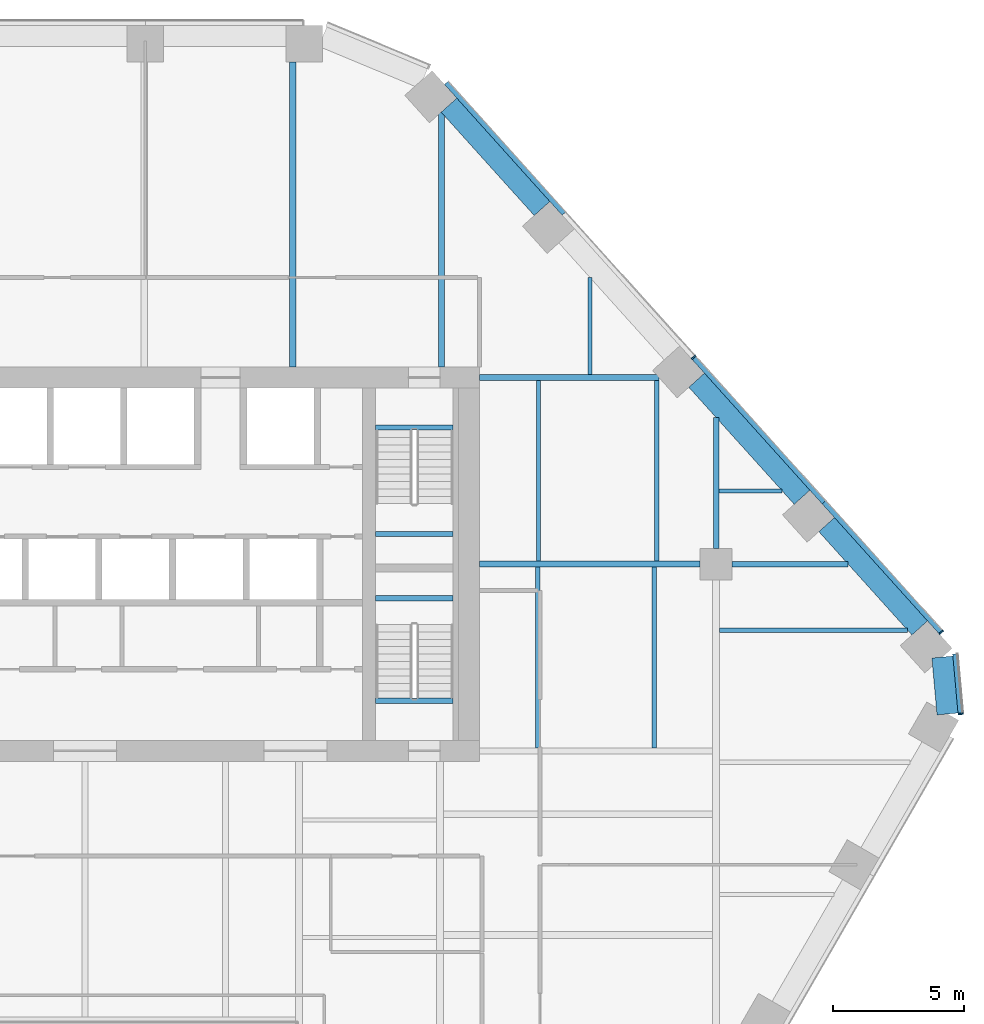
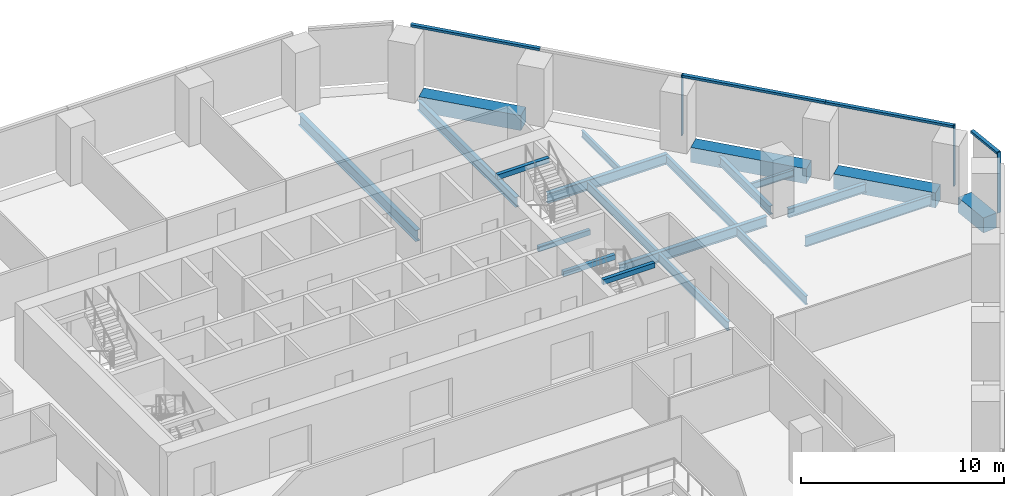
# One storey, part 8 of 16: 21 beams, 7 members, 2 elements without a shape of their own.
"""IFC4 building model written with IfcOpenShell, lengths in metres."""

from ifc_helpers import new_model, si_unit, direction, frame, origin, origin_2d, place, context, subcontext, project, spatial, rectangle, i_section, extrude, material, layer, layer_set, material_profile, profile_set, type_object, element, aggregate, save


model = new_model("IFC4")

# Units and contexts
model_context = context("Model", 3, precision=1e-05, world=origin(), true_north=direction((0.0, 1.0)))
body_context = subcontext(model_context, "Body", "Model", "MODEL_VIEW")
ifc_project = project(units=[si_unit("LENGTHUNIT", "METRE"), si_unit("AREAUNIT", "SQUARE_METRE"), si_unit("VOLUMEUNIT", "CUBIC_METRE"), si_unit("PLANEANGLEUNIT", "RADIAN"), si_unit("MASSUNIT", "GRAM", prefix="KILO")], contexts=[model_context])

# Site, building, storey
site_placement = place(None, origin())
site = spatial("IfcSite", under=ifc_project, at=site_placement, CompositionType="ELEMENT")
building_placement = place(site_placement, origin())
building = spatial("IfcBuilding", under=site, at=building_placement, Name="Isthmus Gate Tower", CompositionType="ELEMENT")
storey_placement = place(building_placement, frame((0.0, 0.0, 148.050048828125)))
storey = spatial("IfcBuildingStorey", under=building, at=storey_placement, Name="L36", CompositionType="ELEMENT", Elevation=148.050048828125)

# Curtain wall, member
ifc_material_1 = material(Name="Aluminium, pale champagne anodised", Category="aluminium")
ifc_layer = layer(ifc_material_1, 0.199951171875)
ifc_layer_set = layer_set([ifc_layer], Name="CW-1 UNITISED CURTAIN WALL 200 DEEP")
curtain_wall_type = type_object("IfcCurtainWallType", Name="CW-1 UNITISED CURTAIN WALL 200 DEEP", PredefinedType="NOTDEFINED", material=ifc_layer_set)
curtain_wall_1_placement = place(storey_placement, origin())
curtain_wall_1 = element("IfcCurtainWall", 1, at=curtain_wall_1_placement, inside=storey, type_object=curtain_wall_type, Name="CW-1 SE-NE L36", PredefinedType="NOTDEFINED")
ifc_material_2 = material(Name="Aluminium, pale champagne anodised", Category="aluminium")
ifc_material_profile_1 = material_profile(ifc_material_2, rectangle(XDim=0.06005859375, YDim=0.199951171875, at=origin_2d()), Name="60x200")
ifc_profile_set_1 = profile_set([ifc_material_profile_1], Name="Aluminium, pale champagne anodised")
member_type_1 = type_object("IfcMemberType", Name="CW-1 MULLION 60 X 200", PredefinedType="MULLION", material=ifc_profile_set_1)
member_1_placement = place(storey_placement, frame((33.307861328125, 1.804443359375, 0.0), z_axis=(0.0, 0.0, 1.0), x_axis=(-0.089396669717, 0.995996102123, 0.0)))
member_1 = element("IfcMember", 2, at=member_1_placement, type_object=member_type_1, Name="CW-1 mullion", PredefinedType="MULLION", context=body_context, shape_type="SweptSolid", body=[
    extrude(rectangle(XDim=0.06005859375, YDim=0.199951171875, at=origin_2d()), origin(), (0.0, 0.0, 1.0), 3.64990234375),
])

# Curtain wall, members
curtain_wall_2_placement = place(storey_placement, origin())
curtain_wall_2 = element("IfcCurtainWall", 3, at=curtain_wall_2_placement, inside=storey, type_object=curtain_wall_type, Name="CW-1 NE L36", PredefinedType="NOTDEFINED")
member_2_placement = place(storey_placement, frame((32.5693359375, 4.908447265625, 0.0), z_axis=(0.0, 0.0, 1.0), x_axis=(-0.669130606359, 0.743144825477, 0.0)))
member_2 = element("IfcMember", 4, at=member_2_placement, type_object=member_type_1, Name="CW-1 mullion", PredefinedType="MULLION", context=body_context, shape_type="SweptSolid", body=[
    extrude(rectangle(XDim=0.06005859375, YDim=0.199951171875, at=origin_2d()), origin(), (0.0, 0.0, 1.0), 3.64990234375),
])
member_3_placement = place(storey_placement, frame((23.14697265625, 15.373046875, 0.0), z_axis=(0.0, 0.0, 1.0), x_axis=(-0.669130606359, 0.743144825477, 0.0)))
member_3 = element("IfcMember", 5, at=member_3_placement, type_object=member_type_1, Name="CW-1 mullion", PredefinedType="MULLION", context=body_context, shape_type="SweptSolid", body=[
    extrude(rectangle(XDim=0.06005859375, YDim=0.199951171875, at=origin_2d()), origin(), (0.0, 0.0, 1.0), 3.64990234375),
])

# Member
ifc_material_3 = material(Name="Aluminium, pale champagne anodised", Category="aluminium")
ifc_material_profile_2 = material_profile(ifc_material_3, rectangle(XDim=0.199951171875, YDim=0.139892578125, at=origin_2d()), Name="200x140")
ifc_profile_set_2 = profile_set([ifc_material_profile_2], Name="Aluminium, pale champagne anodised")
member_type_2 = type_object("IfcMemberType", Name="CW-1 TRANSOM 200 X 140", PredefinedType="USERDEFINED", material=ifc_profile_set_2)
member_4_placement = place(storey_placement, frame((33.30517578125, 1.83447265625, 3.579833984375), z_axis=(-0.089395362867, 0.995996219419, 0.0), x_axis=(-0.995996219419, -0.089395362867, 0.0)))
member_4 = element("IfcMember", 6, at=member_4_placement, type_object=member_type_2, Name="CW-1 transom", ObjectType="TRANSOM", PredefinedType="USERDEFINED", context=body_context, shape_type="SweptSolid", body=[
    extrude(rectangle(XDim=0.199951171875, YDim=0.139892578125, at=origin_2d()), origin(), (0.0, 0.0, 1.0), 2.258544921875),
])

aggregate(curtain_wall_1, [member_1, member_4])

member_5_placement = place(storey_placement, frame((32.54931640625, 4.930908203125, 3.579833984375), z_axis=(-0.669153891975, 0.743123858354, 0.0), x_axis=(-0.743123858354, -0.669153891975, 0.0)))
member_5 = element("IfcMember", 7, at=member_5_placement, type_object=member_type_2, Name="CW-1 transom", ObjectType="TRANSOM", PredefinedType="USERDEFINED", context=body_context, shape_type="SweptSolid", body=[
    extrude(rectangle(XDim=0.199951171875, YDim=0.139892578125, at=origin_2d()), origin(), (0.0, 0.0, 1.0), 6.630859375),
])

member_6_placement = place(storey_placement, frame((28.1123046875, 9.8583984375, 3.579833984375), z_axis=(-0.669123495435, 0.74315122812, 0.0), x_axis=(-0.74315122812, -0.669123495435, 0.0)))
member_6 = element("IfcMember", 8, at=member_6_placement, type_object=member_type_2, Name="CW-1 transom", ObjectType="TRANSOM", PredefinedType="USERDEFINED", context=body_context, shape_type="SweptSolid", body=[
    extrude(rectangle(XDim=0.199951171875, YDim=0.139892578125, at=origin_2d()), origin(), (0.0, 0.0, 1.0), 7.390625),
])

member_7_placement = place(storey_placement, frame((18.221435546875, 20.84326171875, 3.579833984375), z_axis=(-0.669117935274, 0.743156234378, 0.0), x_axis=(-0.743156234378, -0.669117935274, 0.0)))
member_7 = element("IfcMember", 9, at=member_7_placement, type_object=member_type_2, Name="CW-1 transom", ObjectType="TRANSOM", PredefinedType="USERDEFINED", context=body_context, shape_type="SweptSolid", body=[
    extrude(rectangle(XDim=0.199951171875, YDim=0.139892578125, at=origin_2d()), origin(), (0.0, 0.0, 1.0), 6.690673828125),
])

aggregate(curtain_wall_2, [member_2, member_5, member_6, member_3, member_7])

# Beams
ifc_material_4 = material(Name="Concrete f'c 60 MPa", Category="concrete")
ifc_material_profile_3 = material_profile(ifc_material_4, rectangle(XDim=0.800048828125, YDim=0.89990234375, at=origin_2d()), Name="RC 800X900")
ifc_profile_set_3 = profile_set([ifc_material_profile_3], Name="Concrete f'c 60 MPa")
beam_type_1 = type_object("IfcBeamType", Name="RC SPANDREL 800 X 900", PredefinedType="SPANDREL", material=ifc_profile_set_3)
beam_1_placement = place(storey_placement, frame((13.84130859375, 24.960693359375, -0.449951171875), z_axis=(0.669153370522, -0.743124327901, 0.0), x_axis=(0.743124327901, 0.669153370522, 0.0)))
element("IfcBeam", 10, at=beam_1_placement, inside=storey, type_object=beam_type_1, Name="str-spandrel-L36-01", PredefinedType="SPANDREL", context=body_context, shape_type="SweptSolid", body=[
    extrude(rectangle(XDim=0.800048828125, YDim=0.89990234375, at=origin_2d()), origin(), (0.0, 0.0, 1.0), 5.290771484375),
])
beam_2_placement = place(storey_placement, frame((23.263671875, 14.49609375, -0.449951171875), z_axis=(0.669156088603, -0.74312188037, 0.0), x_axis=(0.74312188037, 0.669156088603, 0.0)))
element("IfcBeam", 11, at=beam_2_placement, inside=storey, type_object=beam_type_1, Name="str-spandrel-L36-03", PredefinedType="SPANDREL", context=body_context, shape_type="SweptSolid", body=[
    extrude(rectangle(XDim=0.800048828125, YDim=0.89990234375, at=origin_2d()), origin(), (0.0, 0.0, 1.0), 5.99072265625),
])
beam_3_placement = place(storey_placement, frame((28.209228515625, 9.003662109375, -0.449951171875), z_axis=(0.669130424574, -0.743144989157, 0.0), x_axis=(0.743144989157, 0.669130424574, 0.0)))
element("IfcBeam", 12, at=beam_3_placement, inside=storey, type_object=beam_type_1, Name="str-spandrel-L36-04", PredefinedType="SPANDREL", context=body_context, shape_type="SweptSolid", body=[
    extrude(rectangle(XDim=0.800048828125, YDim=0.89990234375, at=origin_2d()), origin(), (0.0, 0.0, 1.0), 5.290771484375),
])
beam_4_placement = place(storey_placement, frame((32.61181640625, 3.964599609375, -0.449951171875), z_axis=(0.089421511639, -0.995993872098, 0.0), x_axis=(0.995993872098, 0.089421511639, 0.0)))
element("IfcBeam", 13, at=beam_4_placement, inside=storey, type_object=beam_type_1, Name="str-spandrel-L36-05", PredefinedType="SPANDREL", context=body_context, shape_type="SweptSolid", body=[
    extrude(rectangle(XDim=0.800048828125, YDim=0.89990234375, at=origin_2d()), origin(), (0.0, 0.0, 1.0), 2.17333984375),
])
ifc_material_5 = material(Name="Concrete f'c 40 MPa", Category="concrete")
ifc_material_profile_4 = material_profile(ifc_material_5, rectangle(XDim=0.199951171875, YDim=0.300048828125, at=origin_2d()), Name="STAIR LANDING BEAM RC 200 X 300")
ifc_profile_set_4 = profile_set([ifc_material_profile_4], Name="Concrete f'c 40 MPa")
beam_type_2 = type_object("IfcBeamType", Name="STAIR LANDING BEAM RC 200 X 300", PredefinedType="BEAM", material=ifc_profile_set_4)
for number, where, z_axis, x_axis, name in (
    (14, (11.050048828125, 8.64990234375, 1.474853515625), (1.0, 0.0, 0.0), (0.0, 1.0, 0.0), "L36 ST2 landing beam 1"),
    (15, (11.050048828125, 12.7001953125, 3.349853515625), (1.0, 0.0, 0.0), (0.0, 1.0, 0.0), "L36 ST2 floor-edge seat beam"),
    (16, (11.050048828125, 6.199951171875, 1.474853515625), (1.0, 0.0, 0.0), (0.0, 1.0, 0.0), "L36 ST8 landing beam 1"),
    (17, (11.050048828125, 2.2998046875, 3.349853515625), (1.0, 0.0, 0.0), (0.0, 1.0, 0.0), "L36 ST8 floor-edge seat beam"),
):
    element("IfcBeam", number, at=place(storey_placement, frame(where, z_axis=z_axis, x_axis=x_axis)), inside=storey, type_object=beam_type_2, Name=name, PredefinedType="BEAM", context=body_context, shape_type="SweptSolid", body=[
        extrude(rectangle(XDim=0.199951171875, YDim=0.300048828125, at=origin_2d()), origin(), (0.0, 0.0, 1.0), 2.949951171875),
    ])
ifc_material_6 = material(Name="Structural steel ASTM A992 Gr 50", Category="steel")
ifc_material_profile_5 = material_profile(ifc_material_6, i_section(OverallWidth=0.1396484375, OverallDepth=0.4033203125, WebThickness=0.00634765625, FlangeThickness=0.010986328125, at=origin_2d()), Name="W16X31")
ifc_profile_set_5 = profile_set([ifc_material_profile_5], Name="Structural steel ASTM A992 Gr 50")
beam_type_3 = type_object("IfcBeamType", Name="STEEL FLOOR BEAM W16X31", PredefinedType="JOIST", material=ifc_profile_set_5)
beam_5_placement = place(storey_placement, frame((19.204345703125, 14.71435546875, -0.3515625), z_axis=(0.0, 1.0, 0.0), x_axis=(-1.0, 0.0, 0.0)))
element("IfcBeam", 18, at=beam_5_placement, inside=storey, type_object=beam_type_3, Name="str-beam-L36-05-07", PredefinedType="JOIST", context=body_context, shape_type="SweptSolid", body=[
    extrude(i_section(OverallWidth=0.1396484375, OverallDepth=0.4033203125, WebThickness=0.00634765625, FlangeThickness=0.010986328125, at=origin_2d()), origin(), (0.0, 0.0, 1.0), 3.6923828125),
])
beam_6_placement = place(storey_placement, frame((24.104736328125, 10.284423828125, -0.3515625), z_axis=(1.0, 0.0, 0.0), x_axis=(0.0, 1.0, 0.0)))
element("IfcBeam", 19, at=beam_6_placement, inside=storey, type_object=beam_type_3, Name="str-beam-L36-15-00", PredefinedType="JOIST", context=body_context, shape_type="SweptSolid", body=[
    extrude(i_section(OverallWidth=0.1396484375, OverallDepth=0.4033203125, WebThickness=0.00634765625, FlangeThickness=0.010986328125, at=origin_2d()), origin(), (0.0, 0.0, 1.0), 2.412841796875),
])
ifc_material_7 = material(Name="Structural steel ASTM A992 Gr 50", Category="steel")
ifc_material_profile_6 = material_profile(ifc_material_7, i_section(OverallWidth=0.1650390625, OverallDepth=0.52392578125, WebThickness=0.009521484375, FlangeThickness=0.010986328125, at=origin_2d()), Name="W21X44")
ifc_profile_set_6 = profile_set([ifc_material_profile_6], Name="Structural steel ASTM A992 Gr 50")
beam_type_4 = type_object("IfcBeamType", Name="STEEL FLOOR BEAM W21X44", PredefinedType="JOIST", material=ifc_profile_set_6)
for number, where, z_axis, x_axis, name in (
    (20, (17.25, 7.6142578125, -0.412109375), (0.0, 1.0, 0.0), (-1.0, 0.0, 0.0), "str-beam-L36-13-00"),
    (21, (21.75, 7.6142578125, -0.412109375), (0.0, 1.0, 0.0), (-1.0, 0.0, 0.0), "str-beam-L36-13-01"),
    (22, (17.216552734375, 0.514404296875, -0.412109375), (0.0, 1.0, 0.0), (-1.0, 0.0, 0.0), "str-beam-L36-14-00"),
    (23, (21.64990234375, 0.514404296875, -0.412109375), (0.0, 1.0, 0.0), (-1.0, 0.0, 0.0), "str-beam-L36-14-01"),
):
    element("IfcBeam", number, at=place(storey_placement, frame(where, z_axis=z_axis, x_axis=x_axis)), inside=storey, type_object=beam_type_4, Name=name, PredefinedType="JOIST", context=body_context, shape_type="SweptSolid", body=[
        extrude(i_section(OverallWidth=0.1650390625, OverallDepth=0.52392578125, WebThickness=0.009521484375, FlangeThickness=0.010986328125, at=origin_2d()), origin(), (0.0, 0.0, 1.0), 6.871337890625),
    ])
ifc_material_8 = material(Name="Structural steel ASTM A992 Gr 50", Category="steel")
ifc_material_profile_7 = material_profile(ifc_material_8, i_section(OverallWidth=0.177734375, OverallDepth=0.60009765625, WebThickness=0.009521484375, FlangeThickness=0.0126953125, at=origin_2d()), Name="W24X55")
ifc_profile_set_7 = profile_set([ifc_material_profile_7], Name="Structural steel ASTM A992 Gr 50")
beam_type_5 = type_object("IfcBeamType", Name="STEEL FLOOR BEAM W24X55", PredefinedType="JOIST", material=ifc_profile_set_7)
beam_7_placement = place(storey_placement, frame((24.13330078125, 4.987548828125, -0.4501953125), z_axis=(1.0, 0.0, 0.0), x_axis=(0.0, 1.0, 0.0)))
element("IfcBeam", 24, at=beam_7_placement, inside=storey, type_object=beam_type_5, Name="str-beam-L36-16-02", PredefinedType="JOIST", context=body_context, shape_type="SweptSolid", body=[
    extrude(i_section(OverallWidth=0.177734375, OverallDepth=0.60009765625, WebThickness=0.009521484375, FlangeThickness=0.0126953125, at=origin_2d()), origin(), (0.0, 0.0, 1.0), 7.15380859375),
])
ifc_material_9 = material(Name="Structural steel ASTM A992 Gr 50", Category="steel")
ifc_material_profile_8 = material_profile(ifc_material_9, i_section(OverallWidth=0.228515625, OverallDepth=0.603271484375, WebThickness=0.010986328125, FlangeThickness=0.014404296875, at=origin_2d()), Name="W24X68")
ifc_profile_set_8 = profile_set([ifc_material_profile_8], Name="Structural steel ASTM A992 Gr 50")
beam_type_6 = type_object("IfcBeamType", Name="STEEL FLOOR BEAM W24X68", PredefinedType="JOIST", material=ifc_profile_set_8)
beam_8_placement = place(storey_placement, frame((13.5537109375, 15.0, -0.45166015625), z_axis=(0.0, 1.0, 0.0), x_axis=(-1.0, 0.0, 0.0)))
element("IfcBeam", 25, at=beam_8_placement, inside=storey, type_object=beam_type_6, Name="str-beam-L36-05-06", PredefinedType="JOIST", context=body_context, shape_type="SweptSolid", body=[
    extrude(i_section(OverallWidth=0.228515625, OverallDepth=0.603271484375, WebThickness=0.010986328125, FlangeThickness=0.014404296875, at=origin_2d()), origin(), (0.0, 0.0, 1.0), 9.682373046875),
])
ifc_material_10 = material(Name="Structural steel ASTM A992 Gr 50", Category="steel")
ifc_material_profile_9 = material_profile(ifc_material_10, i_section(OverallWidth=0.25390625, OverallDepth=0.679443359375, WebThickness=0.010986328125, FlangeThickness=0.015869140625, at=origin_2d()), Name="W27X84")
ifc_profile_set_9 = profile_set([ifc_material_profile_9], Name="Structural steel ASTM A992 Gr 50")
beam_type_7 = type_object("IfcBeamType", Name="STEEL FLOOR BEAM W27X84", PredefinedType="JOIST", material=ifc_profile_set_9)
beam_9_placement = place(storey_placement, frame((7.903076171875, 15.0, -0.48974609375), z_axis=(0.0, 1.0, 0.0), x_axis=(-1.0, 0.0, 0.0)))
element("IfcBeam", 26, at=beam_9_placement, inside=storey, type_object=beam_type_7, Name="str-beam-L36-05-05", PredefinedType="JOIST", context=body_context, shape_type="SweptSolid", body=[
    extrude(i_section(OverallWidth=0.25390625, OverallDepth=0.679443359375, WebThickness=0.010986328125, FlangeThickness=0.015869140625, at=origin_2d()), origin(), (0.0, 0.0, 1.0), 11.60009765625),
])
ifc_material_11 = material(Name="Structural steel ASTM A992 Gr 50", Category="steel")
ifc_material_profile_10 = material_profile(ifc_material_11, i_section(OverallWidth=0.20947265625, OverallDepth=0.533447265625, WebThickness=0.009521484375, FlangeThickness=0.015869140625, at=origin_2d()), Name="W21X62")
ifc_profile_set_10 = profile_set([ifc_material_profile_10], Name="Structural steel ASTM A992 Gr 50")
beam_type_8 = type_object("IfcBeamType", Name="STEEL GIRDER W21X62", PredefinedType="BEAM", material=ifc_profile_set_10)
beam_10_placement = place(storey_placement, frame((24.60009765625, 7.5, -0.416748046875), z_axis=(1.0, 0.0, 0.0), x_axis=(0.0, 1.0, 0.0)))
element("IfcBeam", 27, at=beam_10_placement, inside=storey, type_object=beam_type_8, Name="str-girder-L36-06", PredefinedType="BEAM", context=body_context, shape_type="SweptSolid", body=[
    extrude(i_section(OverallWidth=0.20947265625, OverallDepth=0.533447265625, WebThickness=0.009521484375, FlangeThickness=0.015869140625, at=origin_2d()), origin(), (0.0, 0.0, 1.0), 4.4248046875),
])
beam_11_placement = place(storey_placement, frame((24.0, 8.10009765625, -0.416748046875), z_axis=(0.0, 1.0, 0.0), x_axis=(-1.0, 0.0, 0.0)))
element("IfcBeam", 28, at=beam_11_placement, inside=storey, type_object=beam_type_8, Name="str-girder-L36-12", PredefinedType="BEAM", context=body_context, shape_type="SweptSolid", body=[
    extrude(i_section(OverallWidth=0.20947265625, OverallDepth=0.533447265625, WebThickness=0.009521484375, FlangeThickness=0.015869140625, at=origin_2d()), origin(), (0.0, 0.0, 1.0), 4.98046875),
])
ifc_material_12 = material(Name="Structural steel ASTM A992 Gr 50", Category="steel")
ifc_material_profile_11 = material_profile(ifc_material_12, i_section(OverallWidth=0.228515625, OverallDepth=0.603271484375, WebThickness=0.010986328125, FlangeThickness=0.014404296875, at=origin_2d()), Name="W24X68")
ifc_profile_set_11 = profile_set([ifc_material_profile_11], Name="Structural steel ASTM A992 Gr 50")
beam_type_9 = type_object("IfcBeamType", Name="STEEL GIRDER W24X68", PredefinedType="BEAM", material=ifc_profile_set_11)
beam_12_placement = place(storey_placement, frame((15.0, 14.60009765625, -0.45166015625), z_axis=(1.0, 0.0, 0.0), x_axis=(0.0, 1.0, 0.0)))
element("IfcBeam", 29, at=beam_12_placement, inside=storey, type_object=beam_type_9, Name="str-girder-L36-16", PredefinedType="BEAM", context=body_context, shape_type="SweptSolid", body=[
    extrude(i_section(OverallWidth=0.228515625, OverallDepth=0.603271484375, WebThickness=0.010986328125, FlangeThickness=0.014404296875, at=origin_2d()), origin(), (0.0, 0.0, 1.0), 6.824462890625),
])
ifc_material_13 = material(Name="Structural steel ASTM A992 Gr 50", Category="steel")
ifc_material_profile_12 = material_profile(ifc_material_13, i_section(OverallWidth=0.228515625, OverallDepth=0.6064453125, WebThickness=0.010986328125, FlangeThickness=0.017578125, at=origin_2d()), Name="W24X76")
ifc_profile_set_12 = profile_set([ifc_material_profile_12], Name="Structural steel ASTM A992 Gr 50")
beam_type_10 = type_object("IfcBeamType", Name="STEEL GIRDER W24X76", PredefinedType="BEAM", material=ifc_profile_set_12)
beam_13_placement = place(storey_placement, frame((15.0, 7.5, -0.453369140625), z_axis=(1.0, 0.0, 0.0), x_axis=(0.0, 1.0, 0.0)))
element("IfcBeam", 30, at=beam_13_placement, inside=storey, type_object=beam_type_10, Name="str-girder-L36-05", PredefinedType="BEAM", context=body_context, shape_type="SweptSolid", body=[
    extrude(i_section(OverallWidth=0.228515625, OverallDepth=0.6064453125, WebThickness=0.010986328125, FlangeThickness=0.017578125, at=origin_2d()), origin(), (0.0, 0.0, 1.0), 8.39990234375),
])

save(model, "model.ifc")
